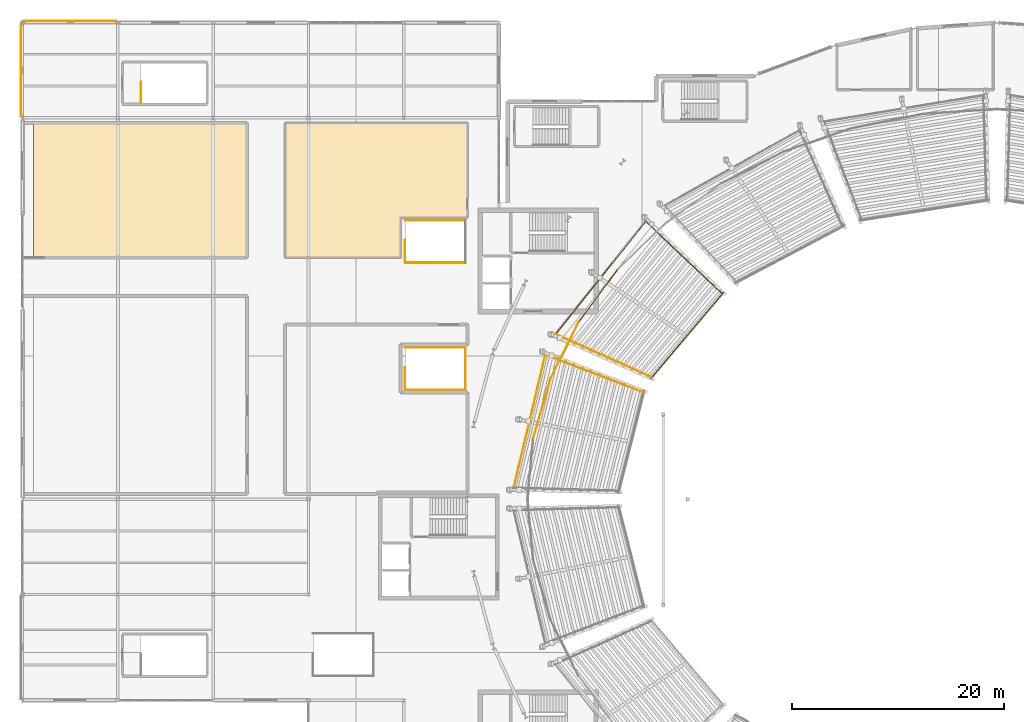
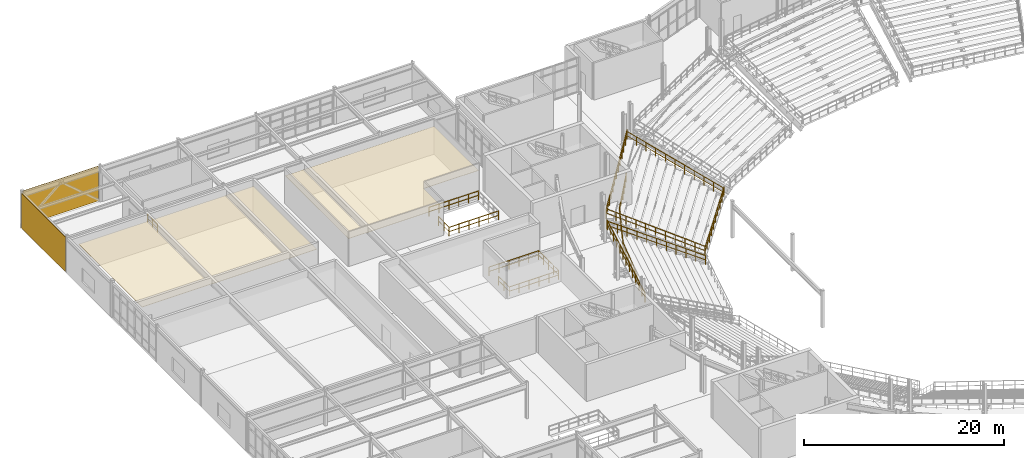
# One storey, part 75 of 81: 17 railings, 4 coverings.
"""IFC4 building model written with IfcOpenShell, lengths in metres."""

from ifc_helpers import new_model, si_unit, direction, frame, origin, origin_2d, place, context, subcontext, project, spatial, polyline, rectangle, circle, outline, extrude, material, layer, layer_set, type_object, element, save


model = new_model("IFC4")

# Units and contexts
model_context = context("Model", 3, precision=1e-05, world=origin(), true_north=direction((0.0, 1.0)))
body_context = subcontext(model_context, "Body", "Model", "MODEL_VIEW")
ifc_project = project(units=[si_unit("LENGTHUNIT", "METRE"), si_unit("AREAUNIT", "SQUARE_METRE"), si_unit("VOLUMEUNIT", "CUBIC_METRE"), si_unit("PLANEANGLEUNIT", "RADIAN"), si_unit("MASSUNIT", "GRAM", prefix="KILO")], contexts=[model_context])

# Site, building, storey
site_placement = place(None, origin())
site = spatial("IfcSite", under=ifc_project, at=site_placement, CompositionType="ELEMENT")
building_placement = place(site_placement, origin())
building = spatial("IfcBuilding", under=site, at=building_placement, Name="Glasvene Arena", CompositionType="ELEMENT")
storey_placement = place(building_placement, frame((0.0, 0.0, 15.0)))
storey = spatial("IfcBuildingStorey", under=building, at=storey_placement, Name="L03", CompositionType="ELEMENT", Elevation=15.0)

# Coverings
ifc_material_1 = material(Name="Perforated acoustic mineral ceiling tile")
ifc_layer_1 = layer(ifc_material_1, 0.0400390625)
ifc_layer_set_1 = layer_set([ifc_layer_1], Name="Perforated acoustic mineral ceiling tile")
covering_type_1 = type_object("IfcCoveringType", Name="COV-CEIL-AC", PredefinedType="CEILING", material=ifc_layer_set_1)
covering_1_placement = place(storey_placement, frame((11.10009765625, 102.14990234375, 3.31005859375)))
element("IfcCovering", 1, at=covering_1_placement, inside=storey, type_object=covering_type_1, Name="Acoustic suspended ceiling International Broadcast Compound", PredefinedType="CEILING", context=body_context, shape_type="SweptSolid", body=[
    extrude(outline(polyline([(10.079833984375, 6.330078125), (10.079833984375, -6.329833984375), (-10.080078125, -6.329833984375), (-10.080078125, 6.330078125), (10.079833984375, 6.330078125)])), origin(), (0.0, 0.0, 1.0), 0.0400390625),
])
covering_2_placement = place(storey_placement, frame((34.380615234375, 101.064697265625, 3.31005859375)))
element("IfcCovering", 2, at=covering_2_placement, inside=storey, type_object=covering_type_1, Name="Acoustic suspended ceiling Media Catering Lounge", PredefinedType="CEILING", context=body_context, shape_type="SweptSolid", body=[
    extrude(outline(polyline([(-9.560546875, -5.24462890625), (-9.560546875, 7.415283203125), (7.599365234375, 7.415283203125), (7.599365234375, -1.444580078125), (1.3193359375, -1.444580078125), (1.303955078125, -1.451904296875), (1.29931640625, -5.24462890625), (-9.560546875, -5.24462890625)])), origin(), (0.0, 0.0, 1.0), 0.0400390625),
])
ifc_material_2 = material(Name="Coursed pale Irish limestone", Category="masonry")
ifc_layer_2 = layer(ifc_material_2, 0.050048828125)
ifc_layer_set_2 = layer_set([ifc_layer_2], Name="Coursed pale Irish limestone")
covering_type_2 = type_object("IfcCoveringType", Name="COV-CLAD-LIM", PredefinedType="CLADDING", material=ifc_layer_set_2)
covering_3_placement = place(storey_placement, frame((-0.139892578125, 113.489990234375, 0.0), z_axis=(0.0, 0.0, 1.0), x_axis=(0.0, 1.0, 0.0)))
element("IfcCovering", 3, at=covering_3_placement, inside=storey, type_object=covering_type_2, Name="Braced bay architectural cladding screen L03-009", PredefinedType="CLADDING", context=body_context, shape_type="SweptSolid", body=[
    extrude(rectangle(XDim=8.755859375, YDim=0.050048828125, at=origin_2d()), origin(), (0.0, 0.0, 1.0), 4.25),
])
covering_4_placement = place(storey_placement, frame((4.510986328125, 118.139892578125, 0.0), z_axis=(0.0, 0.0, 1.0), x_axis=(1.0, 0.0, 0.0)))
element("IfcCovering", 4, at=covering_4_placement, inside=storey, type_object=covering_type_2, Name="Braced bay architectural cladding screen L03-010", PredefinedType="CLADDING", context=body_context, shape_type="SweptSolid", body=[
    extrude(rectangle(XDim=8.7578125, YDim=0.050048828125, at=origin_2d()), origin(), (0.0, 0.0, 1.0), 4.25),
])

# Railings
ifc_material_3 = material(Name="Brushed stainless steel", Category="steel")
railing_type = type_object("IfcRailingType", Name="RL-GUARD-1100", PredefinedType="GUARDRAIL", material=ifc_material_3)
railing_1_placement = place(storey_placement, frame((11.199951171875, 110.39990234375, 0.0)))
element("IfcRailing", 5, at=railing_1_placement, inside=storey, type_object=railing_type, Name="Stair top landing well guard ST-14", PredefinedType="GUARDRAIL", context=body_context, shape_type="SweptSolid", body=[
    extrude(circle(Radius=0.02392578125, at=origin_2d()), frame((0.0, 0.0, 1.076171875), z_axis=(0.0, 1.0, 0.0), x_axis=(-1.0, 0.0, 0.0)), (0.0, 0.0, 1.0), 2.0),
    extrude(circle(Radius=0.01611328125, at=origin_2d()), frame((0.0, 0.0, 0.550048828125), z_axis=(0.0, 1.0, 0.0), x_axis=(-1.0, 0.0, 0.0)), (0.0, 0.0, 1.0), 2.0),
    extrude(circle(Radius=0.02099609375, at=origin_2d()), origin(), (0.0, 0.0, 1.0), 1.052001953125),
    extrude(circle(Radius=0.02099609375, at=origin_2d()), frame((0.0, 1.0, 0.0)), (0.0, 0.0, 1.0), 1.052001953125),
    extrude(circle(Radius=0.02099609375, at=origin_2d()), frame((0.0, 2.0, 0.0)), (0.0, 0.0, 1.0), 1.052001953125),
])
railing_2_placement = place(storey_placement, frame((36.1201171875, 97.449951171875, 0.0)))
element("IfcRailing", 6, at=railing_2_placement, inside=storey, type_object=railing_type, Name="Safety guardrail GD-VOM-06-TOP-001", PredefinedType="GUARDRAIL", context=body_context, shape_type="SweptSolid", body=[
    extrude(circle(Radius=0.02392578125, at=origin_2d()), frame((0.0, 0.0, 1.076171875), z_axis=(0.0, -1.0, 0.0), x_axis=(1.0, 0.0, 0.0)), (0.0, 0.0, 1.0), 2.1298828125),
    extrude(circle(Radius=0.01611328125, at=origin_2d()), frame((0.0, 0.0, 0.550048828125), z_axis=(0.0, -1.0, 0.0), x_axis=(1.0, 0.0, 0.0)), (0.0, 0.0, 1.0), 2.1298828125),
    extrude(circle(Radius=0.02099609375, at=origin_2d()), origin(), (0.0, 0.0, 1.0), 1.052001953125),
    extrude(circle(Radius=0.02099609375, at=origin_2d()), frame((0.0, -1.06494140625, 0.0)), (0.0, 0.0, 1.0), 1.052001953125),
    extrude(circle(Radius=0.02099609375, at=origin_2d()), frame((0.0, -2.1298828125, 0.0)), (0.0, 0.0, 1.0), 1.052001953125),
])
railing_3_placement = place(storey_placement, frame((36.1201171875, 95.320068359375, 0.0)))
element("IfcRailing", 7, at=railing_3_placement, inside=storey, type_object=railing_type, Name="Safety guardrail GD-VOM-06-TOP-002", PredefinedType="GUARDRAIL", context=body_context, shape_type="SweptSolid", body=[
    extrude(circle(Radius=0.02392578125, at=origin_2d()), frame((0.0, 0.0, 1.076171875), z_axis=(1.0, 0.0, 0.0), x_axis=(0.0, 1.0, 0.0)), (0.0, 0.0, 1.0), 5.699951171875),
    extrude(circle(Radius=0.01611328125, at=origin_2d()), frame((0.0, 0.0, 0.550048828125), z_axis=(1.0, 0.0, 0.0), x_axis=(0.0, 1.0, 0.0)), (0.0, 0.0, 1.0), 5.699951171875),
    extrude(circle(Radius=0.02099609375, at=origin_2d()), origin(), (0.0, 0.0, 1.0), 1.052001953125),
    extrude(circle(Radius=0.02099609375, at=origin_2d()), frame((1.139892578125, 0.0, 0.0)), (0.0, 0.0, 1.0), 1.052001953125),
    extrude(circle(Radius=0.02099609375, at=origin_2d()), frame((2.280029296875, 0.0, 0.0)), (0.0, 0.0, 1.0), 1.052001953125),
    extrude(circle(Radius=0.02099609375, at=origin_2d()), frame((3.419921875, 0.0, 0.0)), (0.0, 0.0, 1.0), 1.052001953125),
    extrude(circle(Radius=0.02099609375, at=origin_2d()), frame((4.56005859375, 0.0, 0.0)), (0.0, 0.0, 1.0), 1.052001953125),
    extrude(circle(Radius=0.02099609375, at=origin_2d()), frame((5.699951171875, 0.0, 0.0)), (0.0, 0.0, 1.0), 1.052001953125),
])
railing_4_placement = place(storey_placement, frame((41.820068359375, 99.330078125, 0.0)))
element("IfcRailing", 8, at=railing_4_placement, inside=storey, type_object=railing_type, Name="Safety guardrail GD-VOM-06-TOP-004", PredefinedType="GUARDRAIL", context=body_context, shape_type="SweptSolid", body=[
    extrude(circle(Radius=0.02392578125, at=origin_2d()), frame((0.0, 0.0, 1.076171875), z_axis=(-1.0, 0.0, 0.0), x_axis=(0.0, -1.0, 0.0)), (0.0, 0.0, 1.0), 5.699951171875),
    extrude(circle(Radius=0.01611328125, at=origin_2d()), frame((0.0, 0.0, 0.550048828125), z_axis=(-1.0, 0.0, 0.0), x_axis=(0.0, -1.0, 0.0)), (0.0, 0.0, 1.0), 5.699951171875),
    extrude(circle(Radius=0.02099609375, at=origin_2d()), origin(), (0.0, 0.0, 1.0), 1.052001953125),
    extrude(circle(Radius=0.02099609375, at=origin_2d()), frame((-1.139892578125, 0.0, 0.0)), (0.0, 0.0, 1.0), 1.052001953125),
    extrude(circle(Radius=0.02099609375, at=origin_2d()), frame((-2.280029296875, 0.0, 0.0)), (0.0, 0.0, 1.0), 1.052001953125),
    extrude(circle(Radius=0.02099609375, at=origin_2d()), frame((-3.419921875, 0.0, 0.0)), (0.0, 0.0, 1.0), 1.052001953125),
    extrude(circle(Radius=0.02099609375, at=origin_2d()), frame((-4.56005859375, 0.0, 0.0)), (0.0, 0.0, 1.0), 1.052001953125),
    extrude(circle(Radius=0.02099609375, at=origin_2d()), frame((-5.699951171875, 0.0, 0.0)), (0.0, 0.0, 1.0), 1.052001953125),
])
railing_5_placement = place(storey_placement, frame((36.1201171875, 85.449951171875, 0.0)))
element("IfcRailing", 9, at=railing_5_placement, inside=storey, type_object=railing_type, Name="Safety guardrail GD-VOM-07-TOP-001", PredefinedType="GUARDRAIL", context=body_context, shape_type="SweptSolid", body=[
    extrude(circle(Radius=0.02392578125, at=origin_2d()), frame((0.0, 0.0, 1.076171875), z_axis=(0.0, -1.0, 0.0), x_axis=(1.0, 0.0, 0.0)), (0.0, 0.0, 1.0), 2.1298828125),
    extrude(circle(Radius=0.01611328125, at=origin_2d()), frame((0.0, 0.0, 0.550048828125), z_axis=(0.0, -1.0, 0.0), x_axis=(1.0, 0.0, 0.0)), (0.0, 0.0, 1.0), 2.1298828125),
    extrude(circle(Radius=0.02099609375, at=origin_2d()), origin(), (0.0, 0.0, 1.0), 1.052001953125),
    extrude(circle(Radius=0.02099609375, at=origin_2d()), frame((0.0, -1.06494140625, 0.0)), (0.0, 0.0, 1.0), 1.052001953125),
    extrude(circle(Radius=0.02099609375, at=origin_2d()), frame((0.0, -2.1298828125, 0.0)), (0.0, 0.0, 1.0), 1.052001953125),
])
railing_6_placement = place(storey_placement, frame((36.1201171875, 83.320068359375, 0.0)))
element("IfcRailing", 10, at=railing_6_placement, inside=storey, type_object=railing_type, Name="Safety guardrail GD-VOM-07-TOP-002", PredefinedType="GUARDRAIL", context=body_context, shape_type="SweptSolid", body=[
    extrude(circle(Radius=0.02392578125, at=origin_2d()), frame((0.0, 0.0, 1.076171875), z_axis=(1.0, 0.0, 0.0), x_axis=(0.0, 1.0, 0.0)), (0.0, 0.0, 1.0), 5.699951171875),
    extrude(circle(Radius=0.01611328125, at=origin_2d()), frame((0.0, 0.0, 0.550048828125), z_axis=(1.0, 0.0, 0.0), x_axis=(0.0, 1.0, 0.0)), (0.0, 0.0, 1.0), 5.699951171875),
    extrude(circle(Radius=0.02099609375, at=origin_2d()), origin(), (0.0, 0.0, 1.0), 1.052001953125),
    extrude(circle(Radius=0.02099609375, at=origin_2d()), frame((1.139892578125, 0.0, 0.0)), (0.0, 0.0, 1.0), 1.052001953125),
    extrude(circle(Radius=0.02099609375, at=origin_2d()), frame((2.280029296875, 0.0, 0.0)), (0.0, 0.0, 1.0), 1.052001953125),
    extrude(circle(Radius=0.02099609375, at=origin_2d()), frame((3.419921875, 0.0, 0.0)), (0.0, 0.0, 1.0), 1.052001953125),
    extrude(circle(Radius=0.02099609375, at=origin_2d()), frame((4.56005859375, 0.0, 0.0)), (0.0, 0.0, 1.0), 1.052001953125),
    extrude(circle(Radius=0.02099609375, at=origin_2d()), frame((5.699951171875, 0.0, 0.0)), (0.0, 0.0, 1.0), 1.052001953125),
])
railing_7_placement = place(storey_placement, frame((41.820068359375, 83.320068359375, 0.0)))
element("IfcRailing", 11, at=railing_7_placement, inside=storey, type_object=railing_type, Name="Safety guardrail GD-VOM-07-TOP-003", PredefinedType="GUARDRAIL", context=body_context, shape_type="SweptSolid", body=[
    extrude(circle(Radius=0.02392578125, at=origin_2d()), frame((0.0, 0.0, 1.076171875), z_axis=(0.0, 1.0, 0.0), x_axis=(-1.0, 0.0, 0.0)), (0.0, 0.0, 1.0), 4.010009765625),
    extrude(circle(Radius=0.01611328125, at=origin_2d()), frame((0.0, 0.0, 0.550048828125), z_axis=(0.0, 1.0, 0.0), x_axis=(-1.0, 0.0, 0.0)), (0.0, 0.0, 1.0), 4.010009765625),
    extrude(circle(Radius=0.02099609375, at=origin_2d()), origin(), (0.0, 0.0, 1.0), 1.052001953125),
    extrude(circle(Radius=0.02099609375, at=origin_2d()), frame((0.0, 1.00244140625, 0.0)), (0.0, 0.0, 1.0), 1.052001953125),
    extrude(circle(Radius=0.02099609375, at=origin_2d()), frame((0.0, 2.0048828125, 0.0)), (0.0, 0.0, 1.0), 1.052001953125),
    extrude(circle(Radius=0.02099609375, at=origin_2d()), frame((0.0, 3.007568359375, 0.0)), (0.0, 0.0, 1.0), 1.052001953125),
    extrude(circle(Radius=0.02099609375, at=origin_2d()), frame((0.0, 4.010009765625, 0.0)), (0.0, 0.0, 1.0), 1.052001953125),
])
railing_8_placement = place(storey_placement, frame((41.820068359375, 87.330078125, 0.0)))
element("IfcRailing", 12, at=railing_8_placement, inside=storey, type_object=railing_type, Name="Safety guardrail GD-VOM-07-TOP-004", PredefinedType="GUARDRAIL", context=body_context, shape_type="SweptSolid", body=[
    extrude(circle(Radius=0.02392578125, at=origin_2d()), frame((0.0, 0.0, 1.076171875), z_axis=(-1.0, 0.0, 0.0), x_axis=(0.0, -1.0, 0.0)), (0.0, 0.0, 1.0), 5.699951171875),
    extrude(circle(Radius=0.01611328125, at=origin_2d()), frame((0.0, 0.0, 0.550048828125), z_axis=(-1.0, 0.0, 0.0), x_axis=(0.0, -1.0, 0.0)), (0.0, 0.0, 1.0), 5.699951171875),
    extrude(circle(Radius=0.02099609375, at=origin_2d()), origin(), (0.0, 0.0, 1.0), 1.052001953125),
    extrude(circle(Radius=0.02099609375, at=origin_2d()), frame((-1.139892578125, 0.0, 0.0)), (0.0, 0.0, 1.0), 1.052001953125),
    extrude(circle(Radius=0.02099609375, at=origin_2d()), frame((-2.280029296875, 0.0, 0.0)), (0.0, 0.0, 1.0), 1.052001953125),
    extrude(circle(Radius=0.02099609375, at=origin_2d()), frame((-3.419921875, 0.0, 0.0)), (0.0, 0.0, 1.0), 1.052001953125),
    extrude(circle(Radius=0.02099609375, at=origin_2d()), frame((-4.56005859375, 0.0, 0.0)), (0.0, 0.0, 1.0), 1.052001953125),
    extrude(circle(Radius=0.02099609375, at=origin_2d()), frame((-5.699951171875, 0.0, 0.0)), (0.0, 0.0, 1.0), 1.052001953125),
])
railing_9_placement = place(storey_placement, frame((56.144287109375, 94.642333984375, 0.0)))
element("IfcRailing", 13, at=railing_9_placement, inside=storey, type_object=railing_type, Name="Safety guardrail GD-BWL-L03-017", PredefinedType="GUARDRAIL", context=body_context, shape_type="SweptSolid", body=[
    extrude(circle(Radius=0.02392578125, at=origin_2d()), frame((0.0, 0.0, 1.076171875), z_axis=(-0.593593483954, -0.804765043853, 0.0), x_axis=(0.804765043853, -0.593593483954, 0.0)), (0.0, 0.0, 1.0), 6.12158203125),
    extrude(circle(Radius=0.01611328125, at=origin_2d()), frame((0.0, 0.0, 0.550048828125), z_axis=(-0.593593483954, -0.804765043853, 0.0), x_axis=(0.804765043853, -0.593593483954, 0.0)), (0.0, 0.0, 1.0), 6.12158203125),
    extrude(circle(Radius=0.02099609375, at=origin_2d()), origin(), (0.0, 0.0, 1.0), 1.052001953125),
    extrude(circle(Radius=0.02099609375, at=origin_2d()), frame((-0.605712890625, -0.821044921875, 0.0)), (0.0, 0.0, 1.0), 1.052001953125),
    extrude(circle(Radius=0.02099609375, at=origin_2d()), frame((-1.211181640625, -1.64208984375, 0.0)), (0.0, 0.0, 1.0), 1.052001953125),
    extrude(circle(Radius=0.02099609375, at=origin_2d()), frame((-1.81689453125, -2.46337890625, 0.0)), (0.0, 0.0, 1.0), 1.052001953125),
    extrude(circle(Radius=0.02099609375, at=origin_2d()), frame((-2.422607421875, -3.284423828125, 0.0)), (0.0, 0.0, 1.0), 1.052001953125),
    extrude(circle(Radius=0.02099609375, at=origin_2d()), frame((-3.028076171875, -4.10546875, 0.0)), (0.0, 0.0, 1.0), 1.052001953125),
    extrude(circle(Radius=0.02099609375, at=origin_2d()), frame((-3.6337890625, -4.926513671875, 0.0)), (0.0, 0.0, 1.0), 1.052001953125),
])
railing_10_placement = place(storey_placement, frame((52.510498046875, 89.7158203125, 0.0)))
element("IfcRailing", 14, at=railing_10_placement, inside=storey, type_object=railing_type, Name="Safety guardrail GD-BWL-L03-018", PredefinedType="GUARDRAIL", context=body_context, shape_type="SweptSolid", body=[
    extrude(circle(Radius=0.02392578125, at=origin_2d()), frame((0.0, 0.0, 1.076171875), z_axis=(-0.446198197372, -0.894934170016, 0.0), x_axis=(0.894934170016, -0.446198197372, 0.0)), (0.0, 0.0, 1.0), 5.964599609375),
    extrude(circle(Radius=0.01611328125, at=origin_2d()), frame((0.0, 0.0, 0.550048828125), z_axis=(-0.446198197372, -0.894934170016, 0.0), x_axis=(0.894934170016, -0.446198197372, 0.0)), (0.0, 0.0, 1.0), 5.964599609375),
    extrude(circle(Radius=0.02099609375, at=origin_2d()), origin(), (0.0, 0.0, 1.0), 1.052001953125),
    extrude(circle(Radius=0.02099609375, at=origin_2d()), frame((-0.5322265625, -1.067626953125, 0.0)), (0.0, 0.0, 1.0), 1.052001953125),
    extrude(circle(Radius=0.02099609375, at=origin_2d()), frame((-1.064453125, -2.13525390625, 0.0)), (0.0, 0.0, 1.0), 1.052001953125),
    extrude(circle(Radius=0.02099609375, at=origin_2d()), frame((-1.596923828125, -3.20263671875, 0.0)), (0.0, 0.0, 1.0), 1.052001953125),
    extrude(circle(Radius=0.02099609375, at=origin_2d()), frame((-2.129150390625, -4.270263671875, 0.0)), (0.0, 0.0, 1.0), 1.052001953125),
    extrude(circle(Radius=0.02099609375, at=origin_2d()), frame((-2.661376953125, -5.337890625, 0.0)), (0.0, 0.0, 1.0), 1.052001953125),
])
railing_11_placement = place(storey_placement, frame((49.84912109375, 84.3779296875, 0.0)))
element("IfcRailing", 15, at=railing_11_placement, inside=storey, type_object=railing_type, Name="Safety guardrail GD-BWL-L03-019", PredefinedType="GUARDRAIL", context=body_context, shape_type="SweptSolid", body=[
    extrude(circle(Radius=0.02392578125, at=origin_2d()), frame((0.0, 0.0, 1.076171875), z_axis=(-0.27763127496, -0.960687709489, 0.0), x_axis=(0.960687709489, -0.27763127496, 0.0)), (0.0, 0.0, 1.0), 5.847900390625),
    extrude(circle(Radius=0.01611328125, at=origin_2d()), frame((0.0, 0.0, 0.550048828125), z_axis=(-0.27763127496, -0.960687709489, 0.0), x_axis=(0.960687709489, -0.27763127496, 0.0)), (0.0, 0.0, 1.0), 5.847900390625),
    extrude(circle(Radius=0.02099609375, at=origin_2d()), origin(), (0.0, 0.0, 1.0), 1.052001953125),
    extrude(circle(Radius=0.02099609375, at=origin_2d()), frame((-0.32470703125, -1.12353515625, 0.0)), (0.0, 0.0, 1.0), 1.052001953125),
    extrude(circle(Radius=0.02099609375, at=origin_2d()), frame((-0.6494140625, -2.2470703125, 0.0)), (0.0, 0.0, 1.0), 1.052001953125),
    extrude(circle(Radius=0.02099609375, at=origin_2d()), frame((-0.97412109375, -3.370849609375, 0.0)), (0.0, 0.0, 1.0), 1.052001953125),
    extrude(circle(Radius=0.02099609375, at=origin_2d()), frame((-1.298828125, -4.494384765625, 0.0)), (0.0, 0.0, 1.0), 1.052001953125),
    extrude(circle(Radius=0.02099609375, at=origin_2d()), frame((-1.62353515625, -5.617919921875, 0.0)), (0.0, 0.0, 1.0), 1.052001953125),
])
railing_12_placement = place(storey_placement, frame((66.175537109375, 92.49658203125, -3.89990234375)))
element("IfcRailing", 16, at=railing_12_placement, inside=storey, type_object=railing_type, Name="Safety guardrail GD-TU-UF-07-001", PredefinedType="GUARDRAIL", context=body_context, shape_type="SweptSolid", body=[
    extrude(circle(Radius=0.02392578125, at=origin_2d()), frame((0.0, 0.0, 1.076171875), z_axis=(-0.645763939383, -0.763537120638, 0.0), x_axis=(0.763537120638, -0.645763939383, 0.0)), (0.0, 0.0, 1.0), 10.619873046875),
    extrude(circle(Radius=0.01611328125, at=origin_2d()), frame((0.0, 0.0, 0.550048828125), z_axis=(-0.645763939383, -0.763537120638, 0.0), x_axis=(0.763537120638, -0.645763939383, 0.0)), (0.0, 0.0, 1.0), 10.619873046875),
    extrude(circle(Radius=0.02099609375, at=origin_2d()), origin(), (0.0, 0.0, 1.0), 1.052001953125),
    extrude(circle(Radius=0.02099609375, at=origin_2d()), frame((-0.761962890625, -0.90087890625, 0.0)), (0.0, 0.0, 1.0), 1.052001953125),
    extrude(circle(Radius=0.02099609375, at=origin_2d()), frame((-1.52392578125, -1.802001953125, 0.0)), (0.0, 0.0, 1.0), 1.052001953125),
    extrude(circle(Radius=0.02099609375, at=origin_2d()), frame((-2.285888671875, -2.702880859375, 0.0)), (0.0, 0.0, 1.0), 1.052001953125),
    extrude(circle(Radius=0.02099609375, at=origin_2d()), frame((-3.0478515625, -3.603759765625, 0.0)), (0.0, 0.0, 1.0), 1.052001953125),
    extrude(circle(Radius=0.02099609375, at=origin_2d()), frame((-3.81005859375, -4.5048828125, 0.0)), (0.0, 0.0, 1.0), 1.052001953125),
    extrude(circle(Radius=0.02099609375, at=origin_2d()), frame((-4.572021484375, -5.40576171875, 0.0)), (0.0, 0.0, 1.0), 1.052001953125),
    extrude(circle(Radius=0.02099609375, at=origin_2d()), frame((-5.333984375, -6.306640625, 0.0)), (0.0, 0.0, 1.0), 1.052001953125),
    extrude(circle(Radius=0.02099609375, at=origin_2d()), frame((-6.095947265625, -7.207763671875, 0.0)), (0.0, 0.0, 1.0), 1.052001953125),
    extrude(circle(Radius=0.02099609375, at=origin_2d()), frame((-6.85791015625, -8.108642578125, 0.0)), (0.0, 0.0, 1.0), 1.052001953125),
])
railing_13_placement = place(storey_placement, frame((58.974853515625, 99.3779296875, 1.3798828125)))
element("IfcRailing", 17, at=railing_13_placement, inside=storey, type_object=railing_type, Name="Safety guardrail GD-TU-UR-07-001", PredefinedType="GUARDRAIL", context=body_context, shape_type="SweptSolid", body=[
    extrude(circle(Radius=0.02392578125, at=origin_2d()), frame((0.0, 0.0, 1.076171875), z_axis=(-0.624430035096, -0.781080745679, 0.0), x_axis=(0.781080745679, -0.624430035096, 0.0)), (0.0, 0.0, 1.0), 14.045166015625),
    extrude(circle(Radius=0.01611328125, at=origin_2d()), frame((0.0, 0.0, 0.550048828125), z_axis=(-0.624430035096, -0.781080745679, 0.0), x_axis=(0.781080745679, -0.624430035096, 0.0)), (0.0, 0.0, 1.0), 14.045166015625),
    extrude(circle(Radius=0.02099609375, at=origin_2d()), origin(), (0.0, 0.0, 1.0), 1.052001953125),
    extrude(circle(Radius=0.02099609375, at=origin_2d()), frame((-0.73095703125, -0.914306640625, 0.0)), (0.0, 0.0, 1.0), 1.052001953125),
    extrude(circle(Radius=0.02099609375, at=origin_2d()), frame((-1.461669921875, -1.828369140625, 0.0)), (0.0, 0.0, 1.0), 1.052001953125),
    extrude(circle(Radius=0.02099609375, at=origin_2d()), frame((-2.192626953125, -2.74267578125, 0.0)), (0.0, 0.0, 1.0), 1.052001953125),
    extrude(circle(Radius=0.02099609375, at=origin_2d()), frame((-2.92333984375, -3.65673828125, 0.0)), (0.0, 0.0, 1.0), 1.052001953125),
    extrude(circle(Radius=0.02099609375, at=origin_2d()), frame((-3.654296875, -4.571044921875, 0.0)), (0.0, 0.0, 1.0), 1.052001953125),
    extrude(circle(Radius=0.02099609375, at=origin_2d()), frame((-4.38525390625, -5.4853515625, 0.0)), (0.0, 0.0, 1.0), 1.052001953125),
    extrude(circle(Radius=0.02099609375, at=origin_2d()), frame((-5.115966796875, -6.3994140625, 0.0)), (0.0, 0.0, 1.0), 1.052001953125),
    extrude(circle(Radius=0.02099609375, at=origin_2d()), frame((-5.846923828125, -7.313720703125, 0.0)), (0.0, 0.0, 1.0), 1.052001953125),
    extrude(circle(Radius=0.02099609375, at=origin_2d()), frame((-6.57763671875, -8.227783203125, 0.0)), (0.0, 0.0, 1.0), 1.052001953125),
    extrude(circle(Radius=0.02099609375, at=origin_2d()), frame((-7.30859375, -9.14208984375, 0.0)), (0.0, 0.0, 1.0), 1.052001953125),
    extrude(circle(Radius=0.02099609375, at=origin_2d()), frame((-8.039306640625, -10.05615234375, 0.0)), (0.0, 0.0, 1.0), 1.052001953125),
    extrude(circle(Radius=0.02099609375, at=origin_2d()), frame((-8.770263671875, -10.970458984375, 0.0)), (0.0, 0.0, 1.0), 1.052001953125),
])
railing_14_placement = place(storey_placement, frame((66.03076171875, 92.4150390625, -3.89990234375)))
element("IfcRailing", 18, at=railing_14_placement, inside=storey, type_object=railing_type, Name="Upper tier radial aisle guard 07-1", PredefinedType="GUARDRAIL", context=body_context, shape_type="SweptSolid", body=[
    extrude(circle(Radius=0.02392578125, at=origin_2d()), frame((0.0, 0.0, 1.076171875), z_axis=(-0.640950746789, 0.606418263249, 0.470573086979), x_axis=(-0.687267738972, -0.726404195313, 0.0)), (0.0, 0.0, 1.0), 11.219970703125),
    extrude(circle(Radius=0.01611328125, at=origin_2d()), frame((0.0, 0.0, 0.550048828125), z_axis=(-0.640950746789, 0.606418263249, 0.470573086979), x_axis=(-0.687267738972, -0.726404195313, 0.0)), (0.0, 0.0, 1.0), 11.219970703125),
    extrude(circle(Radius=0.02099609375, at=origin_2d()), origin(), (0.0, 0.0, 1.0), 1.052001953125),
    extrude(circle(Radius=0.02099609375, at=origin_2d()), frame((-0.71923828125, 0.680419921875, 0.528076171875)), (0.0, 0.0, 1.0), 1.052001953125),
    extrude(circle(Radius=0.02099609375, at=origin_2d()), frame((-1.438232421875, 1.36083984375, 1.055908203125)), (0.0, 0.0, 1.0), 1.052001953125),
    extrude(circle(Radius=0.02099609375, at=origin_2d()), frame((-2.157470703125, 2.041259765625, 1.583984375)), (0.0, 0.0, 1.0), 1.052001953125),
    extrude(circle(Radius=0.02099609375, at=origin_2d()), frame((-2.87646484375, 2.7216796875, 2.11181640625)), (0.0, 0.0, 1.0), 1.052001953125),
    extrude(circle(Radius=0.02099609375, at=origin_2d()), frame((-3.595703125, 3.40185546875, 2.639892578125)), (0.0, 0.0, 1.0), 1.052001953125),
    extrude(circle(Radius=0.02099609375, at=origin_2d()), frame((-4.31494140625, 4.082275390625, 3.16796875)), (0.0, 0.0, 1.0), 1.052001953125),
    extrude(circle(Radius=0.02099609375, at=origin_2d()), frame((-5.033935546875, 4.7626953125, 3.69580078125)), (0.0, 0.0, 1.0), 1.052001953125),
    extrude(circle(Radius=0.02099609375, at=origin_2d()), frame((-5.753173828125, 5.443115234375, 4.223876953125)), (0.0, 0.0, 1.0), 1.052001953125),
    extrude(circle(Radius=0.02099609375, at=origin_2d()), frame((-6.47216796875, 6.12353515625, 4.751708984375)), (0.0, 0.0, 1.0), 1.052001953125),
    extrude(circle(Radius=0.02099609375, at=origin_2d()), frame((-7.19140625, 6.803955078125, 5.27978515625)), (0.0, 0.0, 1.0), 1.052001953125),
])
railing_15_placement = place(storey_placement, frame((59.36279296875, 84.529296875, -3.89990234375)))
element("IfcRailing", 19, at=railing_15_placement, inside=storey, type_object=railing_type, Name="Upper tier radial aisle guard 07-2", PredefinedType="GUARDRAIL", context=body_context, shape_type="SweptSolid", body=[
    extrude(circle(Radius=0.02392578125, at=origin_2d()), frame((0.0, 0.0, 1.076171875), z_axis=(-0.805537930588, 0.360098520078, 0.470571671715), x_axis=(-0.408107570305, -0.912933848129, 0.0)), (0.0, 0.0, 1.0), 11.219970703125),
    extrude(circle(Radius=0.01611328125, at=origin_2d()), frame((0.0, 0.0, 0.550048828125), z_axis=(-0.805537930588, 0.360098520078, 0.470571671715), x_axis=(-0.408107570305, -0.912933848129, 0.0)), (0.0, 0.0, 1.0), 11.219970703125),
    extrude(circle(Radius=0.02099609375, at=origin_2d()), origin(), (0.0, 0.0, 1.0), 1.052001953125),
    extrude(circle(Radius=0.02099609375, at=origin_2d()), frame((-0.90380859375, 0.404052734375, 0.528076171875)), (0.0, 0.0, 1.0), 1.052001953125),
    extrude(circle(Radius=0.02099609375, at=origin_2d()), frame((-1.8076171875, 0.80810546875, 1.055908203125)), (0.0, 0.0, 1.0), 1.052001953125),
    extrude(circle(Radius=0.02099609375, at=origin_2d()), frame((-2.71142578125, 1.212158203125, 1.583984375)), (0.0, 0.0, 1.0), 1.052001953125),
    extrude(circle(Radius=0.02099609375, at=origin_2d()), frame((-3.615234375, 1.6162109375, 2.11181640625)), (0.0, 0.0, 1.0), 1.052001953125),
    extrude(circle(Radius=0.02099609375, at=origin_2d()), frame((-4.51904296875, 2.02001953125, 2.639892578125)), (0.0, 0.0, 1.0), 1.052001953125),
    extrude(circle(Radius=0.02099609375, at=origin_2d()), frame((-5.4228515625, 2.424072265625, 3.16796875)), (0.0, 0.0, 1.0), 1.052001953125),
    extrude(circle(Radius=0.02099609375, at=origin_2d()), frame((-6.32666015625, 2.828125, 3.69580078125)), (0.0, 0.0, 1.0), 1.052001953125),
    extrude(circle(Radius=0.02099609375, at=origin_2d()), frame((-7.23046875, 3.232177734375, 4.223876953125)), (0.0, 0.0, 1.0), 1.052001953125),
    extrude(circle(Radius=0.02099609375, at=origin_2d()), frame((-8.13427734375, 3.63623046875, 4.751708984375)), (0.0, 0.0, 1.0), 1.052001953125),
    extrude(circle(Radius=0.02099609375, at=origin_2d()), frame((-9.0380859375, 4.040283203125, 5.27978515625)), (0.0, 0.0, 1.0), 1.052001953125),
])
railing_16_placement = place(storey_placement, frame((49.411376953125, 86.806884765625, 1.3798828125)))
element("IfcRailing", 20, at=railing_16_placement, inside=storey, type_object=railing_type, Name="Safety guardrail GD-TU-UR-08-001", PredefinedType="GUARDRAIL", context=body_context, shape_type="SweptSolid", body=[
    extrude(circle(Radius=0.02392578125, at=origin_2d()), frame((0.0, 0.0, 1.076171875), z_axis=(-0.231512176675, -0.972832006079, 0.0), x_axis=(0.972832006079, -0.231512176675, 0.0)), (0.0, 0.0, 1.0), 13.302001953125),
    extrude(circle(Radius=0.01611328125, at=origin_2d()), frame((0.0, 0.0, 0.550048828125), z_axis=(-0.231512176675, -0.972832006079, 0.0), x_axis=(0.972832006079, -0.231512176675, 0.0)), (0.0, 0.0, 1.0), 13.302001953125),
    extrude(circle(Radius=0.02099609375, at=origin_2d()), origin(), (0.0, 0.0, 1.0), 1.052001953125),
    extrude(circle(Radius=0.02099609375, at=origin_2d()), frame((-0.256591796875, -1.078369140625, 0.0)), (0.0, 0.0, 1.0), 1.052001953125),
    extrude(circle(Radius=0.02099609375, at=origin_2d()), frame((-0.51318359375, -2.15673828125, 0.0)), (0.0, 0.0, 1.0), 1.052001953125),
    extrude(circle(Radius=0.02099609375, at=origin_2d()), frame((-0.77001953125, -3.235107421875, 0.0)), (0.0, 0.0, 1.0), 1.052001953125),
    extrude(circle(Radius=0.02099609375, at=origin_2d()), frame((-1.026611328125, -4.3134765625, 0.0)), (0.0, 0.0, 1.0), 1.052001953125),
    extrude(circle(Radius=0.02099609375, at=origin_2d()), frame((-1.283203125, -5.391845703125, 0.0)), (0.0, 0.0, 1.0), 1.052001953125),
    extrude(circle(Radius=0.02099609375, at=origin_2d()), frame((-1.539794921875, -6.47021484375, 0.0)), (0.0, 0.0, 1.0), 1.052001953125),
    extrude(circle(Radius=0.02099609375, at=origin_2d()), frame((-1.79638671875, -7.548828125, 0.0)), (0.0, 0.0, 1.0), 1.052001953125),
    extrude(circle(Radius=0.02099609375, at=origin_2d()), frame((-2.052978515625, -8.627197265625, 0.0)), (0.0, 0.0, 1.0), 1.052001953125),
    extrude(circle(Radius=0.02099609375, at=origin_2d()), frame((-2.3095703125, -9.70556640625, 0.0)), (0.0, 0.0, 1.0), 1.052001953125),
    extrude(circle(Radius=0.02099609375, at=origin_2d()), frame((-2.56640625, -10.783935546875, 0.0)), (0.0, 0.0, 1.0), 1.052001953125),
    extrude(circle(Radius=0.02099609375, at=origin_2d()), frame((-2.822998046875, -11.8623046875, 0.0)), (0.0, 0.0, 1.0), 1.052001953125),
    extrude(circle(Radius=0.02099609375, at=origin_2d()), frame((-3.07958984375, -12.940673828125, 0.0)), (0.0, 0.0, 1.0), 1.052001953125),
])
railing_17_placement = place(storey_placement, frame((58.605224609375, 83.083984375, -3.89990234375)))
element("IfcRailing", 21, at=railing_17_placement, inside=storey, type_object=railing_type, Name="Upper tier radial aisle guard 08-1", PredefinedType="GUARDRAIL", context=body_context, shape_type="SweptSolid", body=[
    extrude(circle(Radius=0.02392578125, at=origin_2d()), frame((0.0, 0.0, 1.076171875), z_axis=(-0.824230449904, 0.314969660296, 0.470572288329), x_axis=(-0.3569621743, -0.934118839399, 0.0)), (0.0, 0.0, 1.0), 11.219970703125),
    extrude(circle(Radius=0.01611328125, at=origin_2d()), frame((0.0, 0.0, 0.550048828125), z_axis=(-0.824230449904, 0.314969660296, 0.470572288329), x_axis=(-0.3569621743, -0.934118839399, 0.0)), (0.0, 0.0, 1.0), 11.219970703125),
    extrude(circle(Radius=0.02099609375, at=origin_2d()), origin(), (0.0, 0.0, 1.0), 1.052001953125),
    extrude(circle(Radius=0.02099609375, at=origin_2d()), frame((-0.9248046875, 0.353515625, 0.528076171875)), (0.0, 0.0, 1.0), 1.052001953125),
    extrude(circle(Radius=0.02099609375, at=origin_2d()), frame((-1.849609375, 0.706787109375, 1.055908203125)), (0.0, 0.0, 1.0), 1.052001953125),
    extrude(circle(Radius=0.02099609375, at=origin_2d()), frame((-2.7744140625, 1.06005859375, 1.583984375)), (0.0, 0.0, 1.0), 1.052001953125),
    extrude(circle(Radius=0.02099609375, at=origin_2d()), frame((-3.69921875, 1.41357421875, 2.11181640625)), (0.0, 0.0, 1.0), 1.052001953125),
    extrude(circle(Radius=0.02099609375, at=origin_2d()), frame((-4.6240234375, 1.76708984375, 2.639892578125)), (0.0, 0.0, 1.0), 1.052001953125),
    extrude(circle(Radius=0.02099609375, at=origin_2d()), frame((-5.548583984375, 2.120361328125, 3.16796875)), (0.0, 0.0, 1.0), 1.052001953125),
    extrude(circle(Radius=0.02099609375, at=origin_2d()), frame((-6.473388671875, 2.4736328125, 3.69580078125)), (0.0, 0.0, 1.0), 1.052001953125),
    extrude(circle(Radius=0.02099609375, at=origin_2d()), frame((-7.398193359375, 2.8271484375, 4.223876953125)), (0.0, 0.0, 1.0), 1.052001953125),
    extrude(circle(Radius=0.02099609375, at=origin_2d()), frame((-8.322998046875, 3.1806640625, 4.751708984375)), (0.0, 0.0, 1.0), 1.052001953125),
    extrude(circle(Radius=0.02099609375, at=origin_2d()), frame((-9.247802734375, 3.533935546875, 5.27978515625)), (0.0, 0.0, 1.0), 1.052001953125),
])

save(model, "model.ifc")
